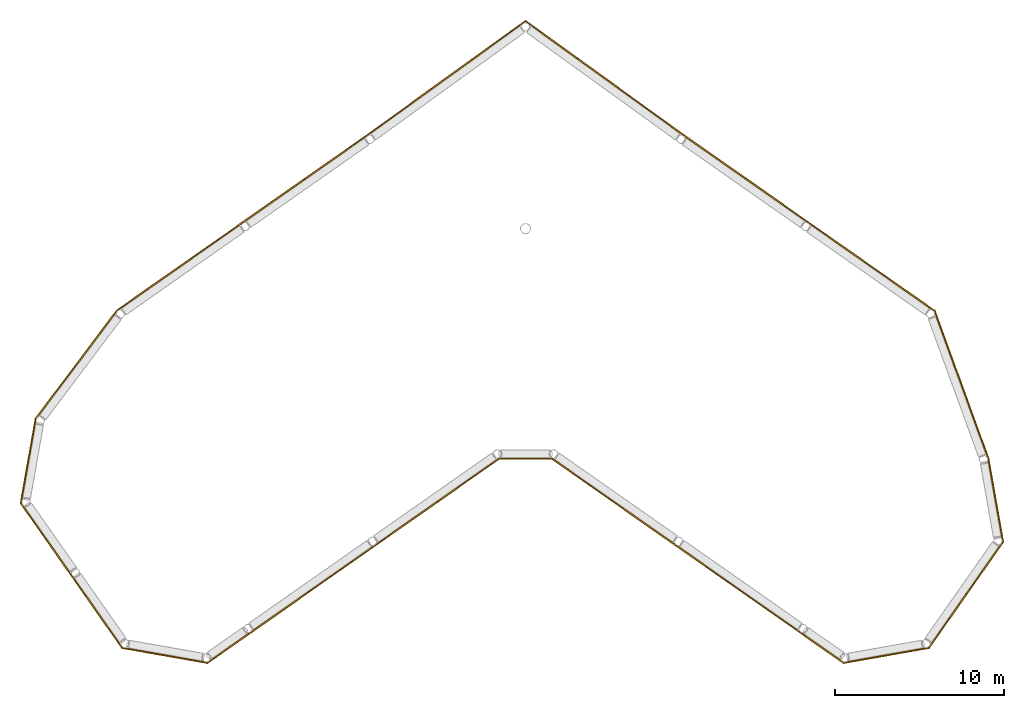
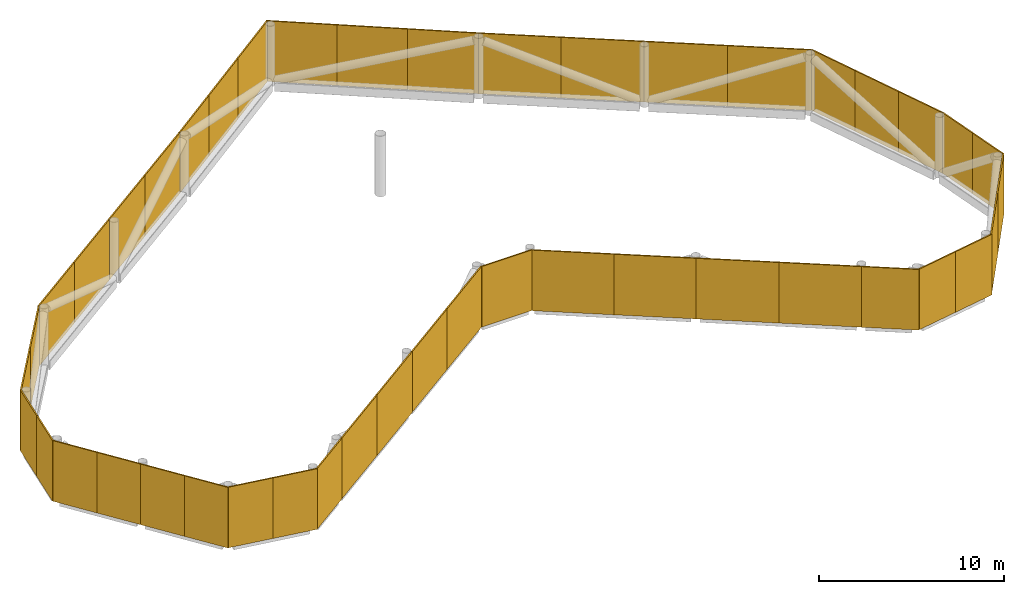
# One storey, part 4 of 4: 44 coverings.
"""IFC4 building model written with IfcOpenShell, lengths in metres."""

from ifc_helpers import new_model, si_unit, direction, frame, origin, origin_2d, place, context, subcontext, project, spatial, rectangle, extrude, material, layer, layer_set, type_object, element, save


model = new_model("IFC4")

# Units and contexts
model_context = context("Model", 3, precision=1e-05, world=origin(), true_north=direction((0.0, 1.0)))
body_context = subcontext(model_context, "Body", "Model", "MODEL_VIEW")
ifc_project = project(units=[si_unit("LENGTHUNIT", "METRE"), si_unit("AREAUNIT", "SQUARE_METRE"), si_unit("VOLUMEUNIT", "CUBIC_METRE"), si_unit("PLANEANGLEUNIT", "RADIAN"), si_unit("MASSUNIT", "GRAM", prefix="KILO")], contexts=[model_context])

# Site, building, storey
site_placement = place(None, origin())
site = spatial("IfcSite", under=ifc_project, at=site_placement, CompositionType="ELEMENT")
building_placement = place(site_placement, origin())
building = spatial("IfcBuilding", under=site, at=building_placement, Name="Tel Ilan Convention Tower", CompositionType="ELEMENT")
storey_placement = place(building_placement, frame((0.0, 0.0, 330.800048828125)))
storey = spatial("IfcBuildingStorey", under=building, at=storey_placement, Name="L78", CompositionType="ELEMENT", Elevation=330.800048828125)

# Coverings
ifc_material = material(Name="Perforated aluminium sheet, bronze anodised", Category="aluminium")
ifc_layer = layer(ifc_material, 0.080078125)
ifc_layer_set = layer_set([ifc_layer], Name="CROWN SCREEN CLADDING 80")
covering_type = type_object("IfcCoveringType", Name="CROWN SCREEN CLADDING 80", PredefinedType="CLADDING", material=ifc_layer_set)
covering_1_placement = place(storey_placement, frame((-17.488525390625, -24.74658203125, 0.0), z_axis=(0.0, 0.0, 1.0), x_axis=(0.819059611512, 0.573708421404, 0.0)))
element("IfcCovering", 1, at=covering_1_placement, inside=storey, type_object=covering_type, Name="Crown screen", PredefinedType="CLADDING", context=body_context, shape_type="SweptSolid", body=[
    extrude(rectangle(XDim=3.119873046875, YDim=0.080078125, at=origin_2d()), origin(), (0.0, 0.0, 1.0), 4.0),
])
for number, where, z_axis, x_axis, name in (
    (2, (-14.367919921875, -22.56103515625, 0.0), (0.0, 0.0, 1.0), (0.819148388269, 0.573581657653, 0.0), "Crown screen"),
    (3, (-10.681884765625, -19.980224609375, 0.0), (0.0, 0.0, 1.0), (0.819148388269, 0.573581657653, 0.0), "Crown screen"),
):
    element("IfcCovering", number, at=place(storey_placement, frame(where, z_axis=z_axis, x_axis=x_axis)), inside=storey, type_object=covering_type, Name=name, PredefinedType="CLADDING", context=body_context, shape_type="SweptSolid", body=[
        extrude(rectangle(XDim=4.499755859375, YDim=0.080078125, at=origin_2d()), origin(), (0.0, 0.0, 1.0), 4.0),
    ])
for number, where, z_axis, x_axis, name in (
    (4, (-7.014404296875, -17.412109375, 0.0), (0.0, 0.0, 1.0), (0.819184940043, 0.573529453477, 0.0), "Crown screen"),
    (5, (-3.365234375, -14.857421875, 0.0), (0.0, 0.0, 1.0), (0.819184940043, 0.573529453477, 0.0), "Crown screen"),
):
    element("IfcCovering", number, at=place(storey_placement, frame(where, z_axis=z_axis, x_axis=x_axis)), inside=storey, type_object=covering_type, Name=name, PredefinedType="CLADDING", context=body_context, shape_type="SweptSolid", body=[
        extrude(rectangle(XDim=4.45458984375, YDim=0.080078125, at=origin_2d()), origin(), (0.0, 0.0, 1.0), 4.0),
    ])
covering_2_placement = place(storey_placement, frame((0.0400390625, -13.60302734375, 0.0), z_axis=(0.0, 0.0, 1.0), x_axis=(1.0, 0.0, 0.0)))
element("IfcCovering", 6, at=covering_2_placement, inside=storey, type_object=covering_type, Name="Crown screen", PredefinedType="CLADDING", context=body_context, shape_type="SweptSolid", body=[
    extrude(rectangle(XDim=3.147216796875, YDim=0.080078125, at=origin_2d()), origin(), (0.0, 0.0, 1.0), 4.0),
])
for number, where, z_axis, x_axis, name in (
    (7, (3.430908203125, -14.9033203125, 0.0), (0.0, 0.0, 1.0), (0.819184940043, -0.573529453477, 0.0), "Crown screen"),
    (8, (7.079833984375, -17.4580078125, 0.0), (0.0, 0.0, 1.0), (0.819184940043, -0.573529453477, 0.0), "Crown screen"),
):
    element("IfcCovering", number, at=place(storey_placement, frame(where, z_axis=z_axis, x_axis=x_axis)), inside=storey, type_object=covering_type, Name=name, PredefinedType="CLADDING", context=body_context, shape_type="SweptSolid", body=[
        extrude(rectangle(XDim=4.45458984375, YDim=0.080078125, at=origin_2d()), origin(), (0.0, 0.0, 1.0), 4.0),
    ])
for number, where, z_axis, x_axis, name in (
    (9, (10.747314453125, -20.02587890625, 0.0), (0.0, 0.0, 1.0), (0.819148388269, -0.573581657653, 0.0), "Crown screen"),
    (10, (14.433349609375, -22.60693359375, 0.0), (0.0, 0.0, 1.0), (0.819148388269, -0.573581657653, 0.0), "Crown screen"),
):
    element("IfcCovering", number, at=place(storey_placement, frame(where, z_axis=z_axis, x_axis=x_axis)), inside=storey, type_object=covering_type, Name=name, PredefinedType="CLADDING", context=body_context, shape_type="SweptSolid", body=[
        extrude(rectangle(XDim=4.499755859375, YDim=0.080078125, at=origin_2d()), origin(), (0.0, 0.0, 1.0), 4.0),
    ])
covering_3_placement = place(storey_placement, frame((17.55419921875, -24.79248046875, 0.0), z_axis=(0.0, 0.0, 1.0), x_axis=(0.819059611512, -0.573708421404, 0.0)))
element("IfcCovering", 11, at=covering_3_placement, inside=storey, type_object=covering_type, Name="Crown screen", PredefinedType="CLADDING", context=body_context, shape_type="SweptSolid", body=[
    extrude(rectangle(XDim=3.119873046875, YDim=0.080078125, at=origin_2d()), origin(), (0.0, 0.0, 1.0), 4.0),
])
for number, where, z_axis, x_axis, name in (
    (12, (20.098876953125, -25.435302734375, 0.0), (0.0, 0.0, 1.0), (0.984816554197, 0.173598256268, 0.0), "Crown screen"),
    (13, (22.61962890625, -24.990966796875, 0.0), (0.0, 0.0, 1.0), (0.984816554197, 0.173598256268, 0.0), "Crown screen"),
):
    element("IfcCovering", number, at=place(storey_placement, frame(where, z_axis=z_axis, x_axis=x_axis)), inside=storey, type_object=covering_type, Name=name, PredefinedType="CLADDING", context=body_context, shape_type="SweptSolid", body=[
        extrude(rectangle(XDim=2.5595703125, YDim=0.080078125, at=origin_2d()), origin(), (0.0, 0.0, 1.0), 4.0),
    ])
for number, where, z_axis, x_axis, name in (
    (14, (24.959228515625, -23.17822265625, 0.0), (0.0, 0.0, 1.0), (0.573607436495, 0.81913033688, 0.0), "Crown screen"),
    (15, (27.150634765625, -20.048828125, 0.0), (0.0, 0.0, 1.0), (0.573607436495, 0.81913033688, 0.0), "Crown screen"),
):
    element("IfcCovering", number, at=place(storey_placement, frame(where, z_axis=z_axis, x_axis=x_axis)), inside=storey, type_object=covering_type, Name=name, PredefinedType="CLADDING", context=body_context, shape_type="SweptSolid", body=[
        extrude(rectangle(XDim=3.8203125, YDim=0.080078125, at=origin_2d()), origin(), (0.0, 0.0, 1.0), 4.0),
    ])
for number, where, z_axis, x_axis, name in (
    (16, (27.99853515625, -17.240478515625, 0.0), (0.0, 0.0, 1.0), (-0.173598256268, 0.984816554197, 0.0), "Crown screen"),
    (17, (27.562255859375, -14.766357421875, 0.0), (0.0, 0.0, 1.0), (-0.173598256268, 0.984816554197, 0.0), "Crown screen"),
):
    element("IfcCovering", number, at=place(storey_placement, frame(where, z_axis=z_axis, x_axis=x_axis)), inside=storey, type_object=covering_type, Name=name, PredefinedType="CLADDING", context=body_context, shape_type="SweptSolid", body=[
        extrude(rectangle(XDim=2.51220703125, YDim=0.080078125, at=origin_2d()), origin(), (0.0, 0.0, 1.0), 4.0),
    ])
for number, where, z_axis, x_axis, name in (
    (18, (26.80859375, -12.0791015625, 0.0), (0.0, 0.0, 1.0), (-0.342225395125, 0.939617889853, 0.0), "Crown screen"),
    (19, (25.7509765625, -9.17529296875, 0.0), (0.0, 0.0, 1.0), (-0.342225395125, 0.939617889853, 0.0), "Crown screen"),
    (20, (24.693359375, -6.271240234375, 0.0), (0.0, 0.0, 1.0), (-0.342225395125, 0.939617889853, 0.0), "Crown screen"),
):
    element("IfcCovering", number, at=place(storey_placement, frame(where, z_axis=z_axis, x_axis=x_axis)), inside=storey, type_object=covering_type, Name=name, PredefinedType="CLADDING", context=body_context, shape_type="SweptSolid", body=[
        extrude(rectangle(XDim=3.090576171875, YDim=0.080078125, at=origin_2d()), origin(), (0.0, 0.0, 1.0), 4.0),
    ])
for number, where, z_axis, x_axis, name in (
    (21, (22.28369140625, -3.530029296875, 0.0), (0.0, 0.0, 1.0), (-0.819096180436, 0.573656209934, 0.0), "Crown screen"),
    (22, (18.560302734375, -0.92236328125, 0.0), (0.0, 0.0, 1.0), (-0.819096180436, 0.573656209934, 0.0), "Crown screen"),
):
    element("IfcCovering", number, at=place(storey_placement, frame(where, z_axis=z_axis, x_axis=x_axis)), inside=storey, type_object=covering_type, Name=name, PredefinedType="CLADDING", context=body_context, shape_type="SweptSolid", body=[
        extrude(rectangle(XDim=4.545654296875, YDim=0.080078125, at=origin_2d()), origin(), (0.0, 0.0, 1.0), 4.0),
    ])
for number, where, z_axis, x_axis, name in (
    (23, (14.85595703125, 1.671630859375, 0.0), (0.0, 0.0, 1.0), (-0.819148388189, 0.573581657768, 0.0), "Crown screen"),
    (24, (11.1708984375, 4.252197265625, 0.0), (0.0, 0.0, 1.0), (-0.819148388189, 0.573581657768, 0.0), "Crown screen"),
):
    element("IfcCovering", number, at=place(storey_placement, frame(where, z_axis=z_axis, x_axis=x_axis)), inside=storey, type_object=covering_type, Name=name, PredefinedType="CLADDING", context=body_context, shape_type="SweptSolid", body=[
        extrude(rectangle(XDim=4.498779296875, YDim=0.080078125, at=origin_2d()), origin(), (0.0, 0.0, 1.0), 4.0),
    ])
for number, where, z_axis, x_axis, name in (
    (25, (7.768310546875, 6.668701171875, 0.0), (0.0, 0.0, 1.0), (-0.810862932708, 0.585236109925, 0.0), "Crown screen"),
    (26, (4.648193359375, 8.9208984375, 0.0), (0.0, 0.0, 1.0), (-0.810862932708, 0.585236109925, 0.0), "Crown screen"),
    (27, (1.52783203125, 11.173095703125, 0.0), (0.0, 0.0, 1.0), (-0.810862932708, 0.585236109925, 0.0), "Crown screen"),
    (28, (-1.592529296875, 11.126220703125, 0.0), (0.0, 0.0, 1.0), (-0.810862932708, -0.585236109925, 0.0), "Crown screen"),
    (29, (-4.712890625, 8.8740234375, 0.0), (0.0, 0.0, 1.0), (-0.810862932708, -0.585236109925, 0.0), "Crown screen"),
    (30, (-7.833251953125, 6.6220703125, 0.0), (0.0, 0.0, 1.0), (-0.810862932708, -0.585236109925, 0.0), "Crown screen"),
):
    element("IfcCovering", number, at=place(storey_placement, frame(where, z_axis=z_axis, x_axis=x_axis)), inside=storey, type_object=covering_type, Name=name, PredefinedType="CLADDING", context=body_context, shape_type="SweptSolid", body=[
        extrude(rectangle(XDim=3.84814453125, YDim=0.080078125, at=origin_2d()), origin(), (0.0, 0.0, 1.0), 4.0),
    ])
for number, where, z_axis, x_axis, name in (
    (31, (-11.236328125, 4.206298828125, 0.0), (0.0, 0.0, 1.0), (-0.819148388269, -0.573581657653, 0.0), "Crown screen"),
    (32, (-14.921630859375, 1.625732421875, 0.0), (0.0, 0.0, 1.0), (-0.819148388269, -0.573581657653, 0.0), "Crown screen"),
):
    element("IfcCovering", number, at=place(storey_placement, frame(where, z_axis=z_axis, x_axis=x_axis)), inside=storey, type_object=covering_type, Name=name, PredefinedType="CLADDING", context=body_context, shape_type="SweptSolid", body=[
        extrude(rectangle(XDim=4.498779296875, YDim=0.080078125, at=origin_2d()), origin(), (0.0, 0.0, 1.0), 4.0),
    ])
for number, where, z_axis, x_axis, name in (
    (33, (-18.616455078125, -0.961669921875, 0.0), (0.0, 0.0, 1.0), (-0.819096180516, -0.57365620982, 0.0), "Crown screen"),
    (34, (-22.321533203125, -3.556396484375, 0.0), (0.0, 0.0, 1.0), (-0.819096180516, -0.57365620982, 0.0), "Crown screen"),
):
    element("IfcCovering", number, at=place(storey_placement, frame(where, z_axis=z_axis, x_axis=x_axis)), inside=storey, type_object=covering_type, Name=name, PredefinedType="CLADDING", context=body_context, shape_type="SweptSolid", body=[
        extrude(rectangle(XDim=4.523193359375, YDim=0.080078125, at=origin_2d()), origin(), (0.0, 0.0, 1.0), 4.0),
    ])
for number, where, z_axis, x_axis, name in (
    (35, (-25.3671875, -6.462890625, 0.0), (0.0, 0.0, 1.0), (-0.600648741526, -0.799513032604, 0.0), "Crown screen"),
    (36, (-27.771484375, -9.6630859375, 0.0), (0.0, 0.0, 1.0), (-0.600648741526, -0.799513032604, 0.0), "Crown screen"),
):
    element("IfcCovering", number, at=place(storey_placement, frame(where, z_axis=z_axis, x_axis=x_axis)), inside=storey, type_object=covering_type, Name=name, PredefinedType="CLADDING", context=body_context, shape_type="SweptSolid", body=[
        extrude(rectangle(XDim=4.002685546875, YDim=0.080078125, at=origin_2d()), origin(), (0.0, 0.0, 1.0), 4.0),
    ])
for number, where, z_axis, x_axis, name in (
    (37, (-29.176513671875, -12.5185546875, 0.0), (0.0, 0.0, 1.0), (-0.173598256268, -0.984816554197, 0.0), "Crown screen"),
    (38, (-29.616455078125, -15.014404296875, 0.0), (0.0, 0.0, 1.0), (-0.173598256268, -0.984816554197, 0.0), "Crown screen"),
):
    element("IfcCovering", number, at=place(storey_placement, frame(where, z_axis=z_axis, x_axis=x_axis)), inside=storey, type_object=covering_type, Name=name, PredefinedType="CLADDING", context=body_context, shape_type="SweptSolid", body=[
        extrude(rectangle(XDim=2.5341796875, YDim=0.080078125, at=origin_2d()), origin(), (0.0, 0.0, 1.0), 4.0),
    ])
for number, where, z_axis, x_axis, name in (
    (39, (-29.05810546875, -17.32470703125, 0.0), (0.0, 0.0, 1.0), (0.573514980355, -0.819195072805, 0.0), "Crown screen"),
    (40, (-27.56103515625, -19.462890625, 0.0), (0.0, 0.0, 1.0), (0.573514980355, -0.819195072805, 0.0), "Crown screen"),
):
    element("IfcCovering", number, at=place(storey_placement, frame(where, z_axis=z_axis, x_axis=x_axis)), inside=storey, type_object=covering_type, Name=name, PredefinedType="CLADDING", context=body_context, shape_type="SweptSolid", body=[
        extrude(rectangle(XDim=2.610107421875, YDim=0.080078125, at=origin_2d()), origin(), (0.0, 0.0, 1.0), 4.0),
    ])
for number, where, z_axis, x_axis, name in (
    (41, (-26.06396484375, -21.60107421875, 0.0), (0.0, 0.0, 1.0), (0.573646538701, -0.819102953625, 0.0), "Crown screen"),
    (42, (-24.56640625, -23.739501953125, 0.0), (0.0, 0.0, 1.0), (0.573646538701, -0.819102953625, 0.0), "Crown screen"),
):
    element("IfcCovering", number, at=place(storey_placement, frame(where, z_axis=z_axis, x_axis=x_axis)), inside=storey, type_object=covering_type, Name=name, PredefinedType="CLADDING", context=body_context, shape_type="SweptSolid", body=[
        extrude(rectangle(XDim=2.6103515625, YDim=0.080078125, at=origin_2d()), origin(), (0.0, 0.0, 1.0), 4.0),
    ])
for number, where, z_axis, x_axis, name in (
    (43, (-22.540771484375, -25.0048828125, 0.0), (0.0, 0.0, 1.0), (0.984816554197, -0.173598256268, 0.0), "Crown screen"),
    (44, (-20.02001953125, -25.44921875, 0.0), (0.0, 0.0, 1.0), (0.984816554197, -0.173598256268, 0.0), "Crown screen"),
):
    element("IfcCovering", number, at=place(storey_placement, frame(where, z_axis=z_axis, x_axis=x_axis)), inside=storey, type_object=covering_type, Name=name, PredefinedType="CLADDING", context=body_context, shape_type="SweptSolid", body=[
        extrude(rectangle(XDim=2.5595703125, YDim=0.080078125, at=origin_2d()), origin(), (0.0, 0.0, 1.0), 4.0),
    ])

save(model, "model.ifc")
